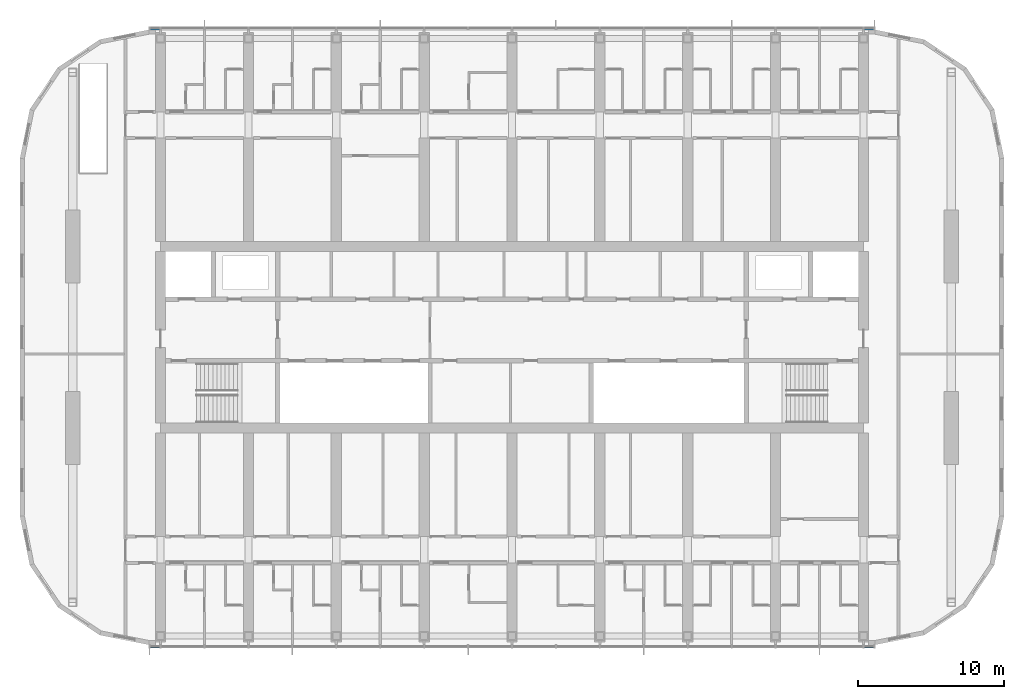
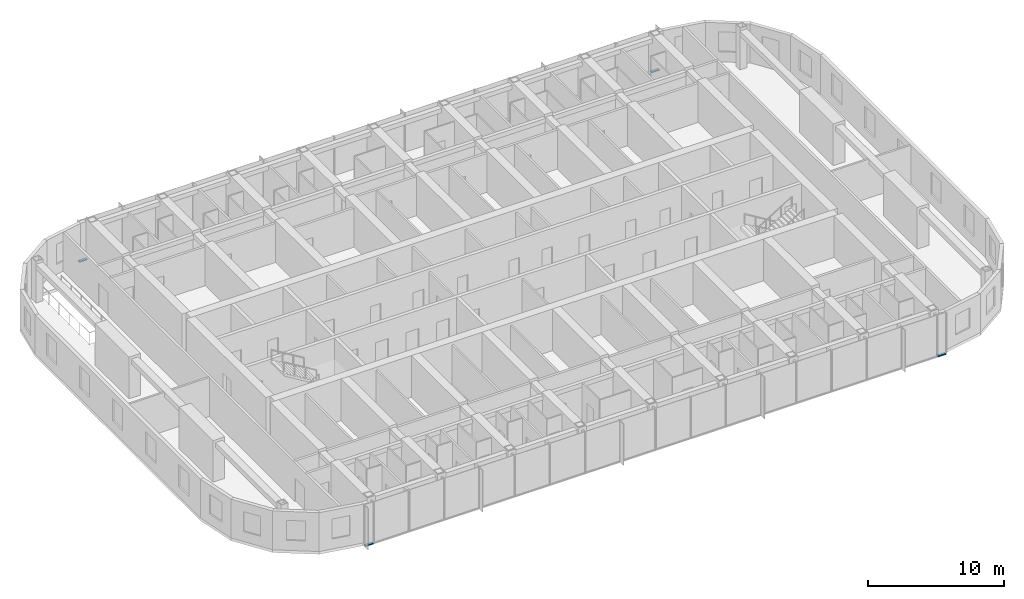
# One storey, part 6 of 24: 4 members, 2 elements without a shape of their own.
"""IFC4 building model written with IfcOpenShell, lengths in metres."""

from ifc_helpers import new_model, si_unit, direction, frame, origin, origin_2d, place, context, subcontext, project, spatial, rectangle, extrude, material, material_profile, profile_set, type_object, element, aggregate, save


model = new_model("IFC4")

# Units and contexts
model_context = context("Model", 3, precision=1e-05, world=origin(), true_north=direction((0.0, 1.0)))
body_context = subcontext(model_context, "Body", "Model", "MODEL_VIEW")
ifc_project = project(units=[si_unit("LENGTHUNIT", "METRE"), si_unit("AREAUNIT", "SQUARE_METRE"), si_unit("VOLUMEUNIT", "CUBIC_METRE"), si_unit("PLANEANGLEUNIT", "RADIAN"), si_unit("MASSUNIT", "GRAM", prefix="KILO")], contexts=[model_context])

# Site, building, storey
site_placement = place(None, origin())
site = spatial("IfcSite", under=ifc_project, at=site_placement, CompositionType="ELEMENT")
building_placement = place(site_placement, origin())
building = spatial("IfcBuilding", under=site, at=building_placement, Name="Orbita Commons", CompositionType="ELEMENT")
storey_placement = place(building_placement, frame((0.0, 0.0, 235.300048828125)))
storey = spatial("IfcBuildingStorey", under=building, at=storey_placement, Name="L58", CompositionType="ELEMENT", Elevation=235.300048828125)

# Curtain wall, members
ifc_material_1 = material(Name="Anodised aluminium frame, pale silver", Category="aluminium")
curtain_wall_type = type_object("IfcCurtainWallType", Name="Unitised curtain wall CW-U, full-height vision", PredefinedType="NOTDEFINED", material=ifc_material_1)
curtain_wall_1_placement = place(storey_placement, origin())
curtain_wall_1 = element("IfcCurtainWall", 1, at=curtain_wall_1_placement, inside=storey, type_object=curtain_wall_type, Name="Curtain wall south L58", PredefinedType="NOTDEFINED")
ifc_material_2 = material(Name="Anodised aluminium, pale silver", Category="aluminium")
ifc_material_profile = material_profile(ifc_material_2, rectangle(XDim=0.219970703125, YDim=0.10009765625, at=origin_2d()), Name="AL 220x100")
ifc_profile_set = profile_set([ifc_material_profile], Name="Anodised aluminium, pale silver")
member_type = type_object("IfcMemberType", Name="Curtain wall stack transom 220x100", PredefinedType="USERDEFINED", material=ifc_profile_set)
member_1_placement = place(storey_placement, frame((17.280029296875, 10.889892578125, -0.199951171875), z_axis=(1.0, 0.0, 0.0), x_axis=(0.0, 1.0, 0.0)))
member_1 = element("IfcMember", 2, at=member_1_placement, type_object=member_type, Name="Transom 1.1 CW-L58-S", ObjectType="TRANSOM", PredefinedType="USERDEFINED", context=body_context, shape_type="SweptSolid", body=[
    extrude(rectangle(XDim=0.219970703125, YDim=0.10009765625, at=origin_2d()), origin(), (0.0, 0.0, 1.0), 0.679931640625),
])
member_2_placement = place(storey_placement, frame((66.0400390625, 10.889892578125, -0.199951171875), z_axis=(1.0, 0.0, 0.0), x_axis=(0.0, 1.0, 0.0)))
member_2 = element("IfcMember", 3, at=member_2_placement, type_object=member_type, Name="Transom 18.1 CW-L58-S", ObjectType="TRANSOM", PredefinedType="USERDEFINED", context=body_context, shape_type="SweptSolid", body=[
    extrude(rectangle(XDim=0.219970703125, YDim=0.10009765625, at=origin_2d()), origin(), (0.0, 0.0, 1.0), 0.679931640625),
])
aggregate(curtain_wall_1, [member_1, member_2])

curtain_wall_2_placement = place(storey_placement, origin())
curtain_wall_2 = element("IfcCurtainWall", 4, at=curtain_wall_2_placement, inside=storey, type_object=curtain_wall_type, Name="Curtain wall north L58", PredefinedType="NOTDEFINED")
member_3_placement = place(storey_placement, frame((66.719970703125, 53.110107421875, -0.199951171875), z_axis=(-1.0, 0.0, 0.0), x_axis=(0.0, -1.0, 0.0)))
member_3 = element("IfcMember", 5, at=member_3_placement, type_object=member_type, Name="Transom 1.1 CW-L58-N", ObjectType="TRANSOM", PredefinedType="USERDEFINED", context=body_context, shape_type="SweptSolid", body=[
    extrude(rectangle(XDim=0.219970703125, YDim=0.10009765625, at=origin_2d()), origin(), (0.0, 0.0, 1.0), 0.679931640625),
])
member_4_placement = place(storey_placement, frame((17.9599609375, 53.110107421875, -0.199951171875), z_axis=(-1.0, 0.0, 0.0), x_axis=(0.0, -1.0, 0.0)))
member_4 = element("IfcMember", 6, at=member_4_placement, type_object=member_type, Name="Transom 18.1 CW-L58-N", ObjectType="TRANSOM", PredefinedType="USERDEFINED", context=body_context, shape_type="SweptSolid", body=[
    extrude(rectangle(XDim=0.219970703125, YDim=0.10009765625, at=origin_2d()), origin(), (0.0, 0.0, 1.0), 0.679931640625),
])
aggregate(curtain_wall_2, [member_3, member_4])

save(model, "model.ifc")
